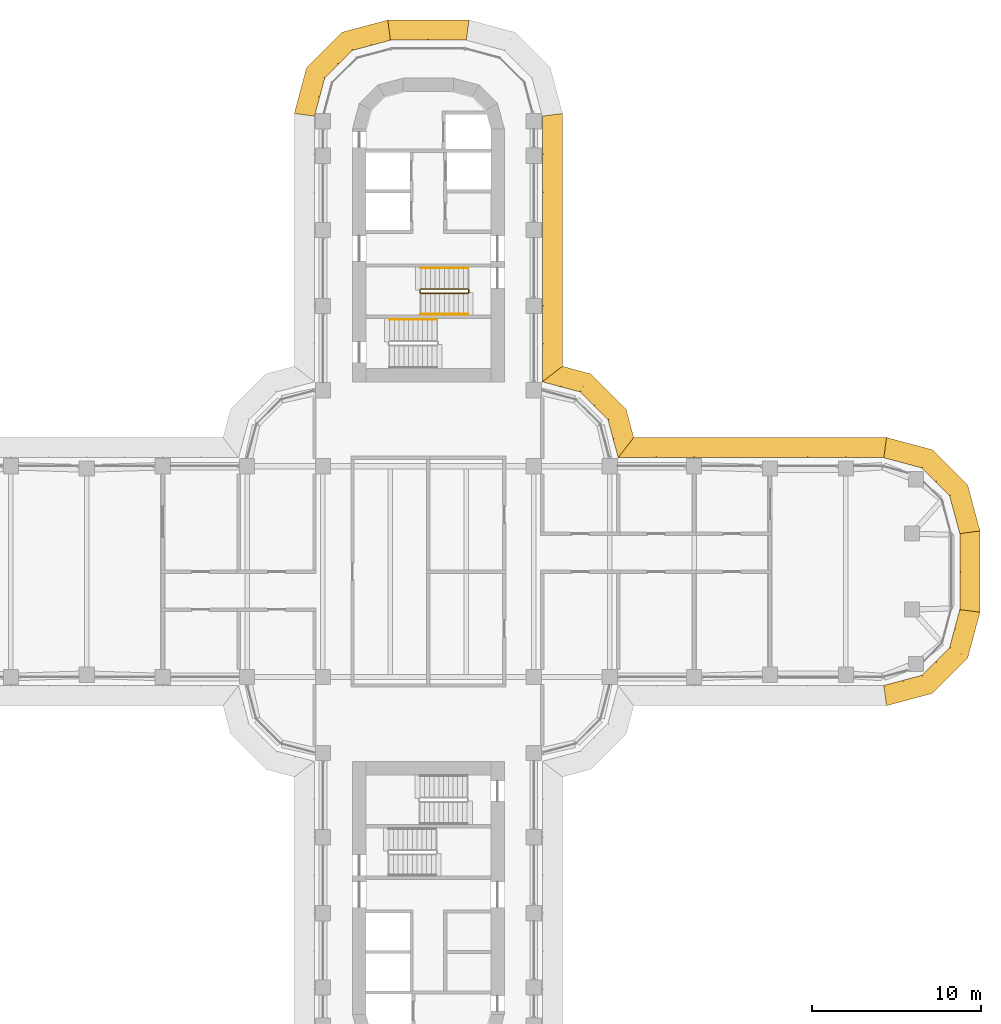
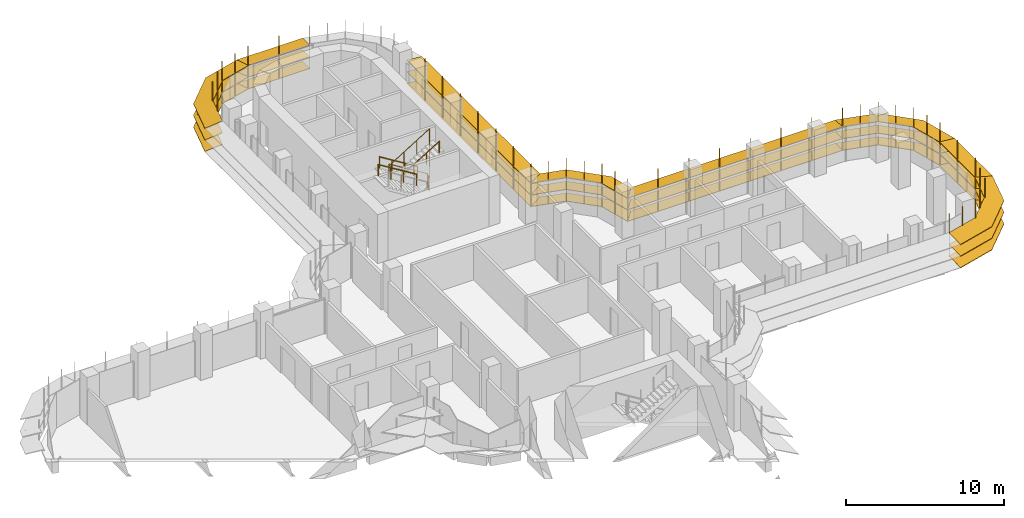
# One storey, part 21 of 22: 8 shading devices, 4 railings.
"""IFC4 building model written with IfcOpenShell, lengths in metres."""

from ifc_helpers import new_model, si_unit, direction, frame, origin, origin_2d, place, context, subcontext, project, spatial, polyline, circle, outline, extrude, faceted_brep, source, transform, mapped, material, type_object, element, save


model = new_model("IFC4")

# Units and contexts
model_context = context("Model", 3, precision=1e-05, world=origin(), true_north=direction((0.0, 1.0)))
body_context = subcontext(model_context, "Body", "Model", "MODEL_VIEW")
ifc_project = project(units=[si_unit("LENGTHUNIT", "METRE"), si_unit("AREAUNIT", "SQUARE_METRE"), si_unit("VOLUMEUNIT", "CUBIC_METRE"), si_unit("PLANEANGLEUNIT", "RADIAN"), si_unit("MASSUNIT", "GRAM", prefix="KILO")], contexts=[model_context])

# Site, building, storey
site_placement = place(None, origin())
site = spatial("IfcSite", under=ifc_project, at=site_placement, CompositionType="ELEMENT")
building_placement = place(site_placement, origin())
building = spatial("IfcBuilding", under=site, at=building_placement, Name="Zarbagh Exchange Tower", CompositionType="ELEMENT")
storey_placement = place(building_placement, frame((0.0, 0.0, 132.199951171875)))
storey = spatial("IfcBuildingStorey", under=building, at=storey_placement, Name="L31", CompositionType="ELEMENT", Elevation=132.199951171875)

# Railings
ifc_material_1 = material(Name="Stainless steel", Category="steel")
railing_type_1 = type_object("IfcRailingType", Name="Stair guard 1100 mm", PredefinedType="GUARDRAIL", material=ifc_material_1)
railing_1_placement = place(storey_placement, frame((-0.449951171875, 16.5, 2.07275390625)))
element("IfcRailing", 1, at=railing_1_placement, inside=storey, type_object=railing_type_1, Name="ST1 stair guard 1", PredefinedType="GUARDRAIL", context=body_context, shape_type="SweptSolid", body=[
    extrude(circle(Radius=0.02392578125, at=origin_2d()), frame((0.0, 0.0, 1.076171875), z_axis=(0.851089632645, 0.0, 0.525020415988), x_axis=(0.0, 1.0, 0.0)), (0.0, 0.0, 1.0), 3.2900390625),
    extrude(circle(Radius=0.02392578125, at=origin_2d()), frame((2.800048828125, 0.0, 2.80322265625), z_axis=(0.013104066473, 0.013168302093, -0.99982742474), x_axis=(-0.708833529934, 0.705375805398, 0.0)), (0.0, 0.0, 1.0), 3.80078125),
    extrude(circle(Radius=0.02392578125, at=origin_2d()), frame((2.849853515625, 0.050048828125, -0.99658203125), z_axis=(0.0, 1.0, 0.0), x_axis=(-1.0, 0.0, 0.0)), (0.0, 0.0, 1.0), 0.14990234375),
    extrude(circle(Radius=0.02392578125, at=origin_2d()), frame((2.849853515625, 0.199951171875, -0.99658203125), z_axis=(-0.266739603011, 0.268047150085, 0.925743328097), x_axis=(-0.708833529934, -0.705375805398, 0.0)), (0.0, 0.0, 1.0), 0.186767578125),
    extrude(circle(Radius=0.02392578125, at=origin_2d()), frame((2.800048828125, 0.25, -0.82373046875), z_axis=(-0.851089632645, 0.0, 0.525020415988), x_axis=(0.0, -1.0, 0.0)), (0.0, 0.0, 1.0), 3.2900390625),
    extrude(circle(Radius=0.02392578125, at=origin_2d()), frame((0.0, 0.25, 0.9033203125), z_axis=(-0.707106781187, -0.707106781187, 0.0), x_axis=(0.707106781187, -0.707106781187, 0.0)), (0.0, 0.0, 1.0), 0.07080078125),
    extrude(circle(Radius=0.02392578125, at=origin_2d()), frame((-0.050048828125, 0.199951171875, 0.9033203125), z_axis=(0.0, -1.0, 0.0), x_axis=(1.0, 0.0, 0.0)), (0.0, 0.0, 1.0), 0.14990234375),
    extrude(circle(Radius=0.02099609375, at=origin_2d()), origin(), (0.0, 0.0, 1.0), 1.052001953125),
    extrude(circle(Radius=0.02099609375, at=origin_2d()), frame((0.933349609375, 0.0, 0.57568359375)), (0.0, 0.0, 1.0), 1.052001953125),
    extrude(circle(Radius=0.02099609375, at=origin_2d()), frame((1.86669921875, 0.0, 1.151611328125)), (0.0, 0.0, 1.0), 1.052001953125),
    extrude(circle(Radius=0.02099609375, at=origin_2d()), frame((2.800048828125, 0.0, 1.727294921875)), (0.0, 0.0, 1.0), 1.052001953125),
    extrude(circle(Radius=0.02099609375, at=origin_2d()), frame((2.8125, 0.012451171875, 0.77734375)), (0.0, 0.0, 1.0), 1.052001953125),
    extrude(circle(Radius=0.02099609375, at=origin_2d()), frame((2.824951171875, 0.02490234375, -0.1728515625)), (0.0, 0.0, 1.0), 1.052001953125),
    extrude(circle(Radius=0.02099609375, at=origin_2d()), frame((2.83740234375, 0.03759765625, -1.122802734375)), (0.0, 0.0, 1.0), 1.052001953125),
    extrude(circle(Radius=0.02099609375, at=origin_2d()), frame((2.849853515625, 0.050048828125, -2.07275390625)), (0.0, 0.0, 1.0), 1.052001953125),
    extrude(circle(Radius=0.02099609375, at=origin_2d()), frame((2.849853515625, 0.199951171875, -2.07275390625)), (0.0, 0.0, 1.0), 1.052001953125),
    extrude(circle(Radius=0.02099609375, at=origin_2d()), frame((2.800048828125, 0.25, -1.89990234375)), (0.0, 0.0, 1.0), 1.052001953125),
    extrude(circle(Radius=0.02099609375, at=origin_2d()), frame((1.86669921875, 0.25, -1.32421875)), (0.0, 0.0, 1.0), 1.052001953125),
    extrude(circle(Radius=0.02099609375, at=origin_2d()), frame((0.933349609375, 0.25, -0.748291015625)), (0.0, 0.0, 1.0), 1.052001953125),
    extrude(circle(Radius=0.02099609375, at=origin_2d()), frame((0.0, 0.25, -0.172607421875)), (0.0, 0.0, 1.0), 1.052001953125),
    extrude(circle(Radius=0.02099609375, at=origin_2d()), frame((-0.050048828125, 0.199951171875, -0.172607421875)), (0.0, 0.0, 1.0), 1.052001953125),
    extrude(circle(Radius=0.02099609375, at=origin_2d()), frame((-0.050048828125, 0.050048828125, -0.172607421875)), (0.0, 0.0, 1.0), 1.052001953125),
])
railing_type_2 = type_object("IfcRailingType", Name="Stair handrail 900 mm", PredefinedType="HANDRAIL", material=ifc_material_1)
railing_2_placement = place(storey_placement, frame((2.35009765625, 18.0, 0.1728515625)))
element("IfcRailing", 2, at=railing_2_placement, inside=storey, type_object=railing_type_2, Name="ST1 stair handrail 1", PredefinedType="HANDRAIL", context=body_context, shape_type="SweptSolid", body=[
    extrude(circle(Radius=0.02392578125, at=origin_2d()), frame((0.0, 0.0, 0.8759765625), z_axis=(-0.851089632645, 0.0, 0.525020415988), x_axis=(0.0, -1.0, 0.0)), (0.0, 0.0, 1.0), 3.2900390625),
    extrude(circle(Radius=0.02099609375, at=origin_2d()), origin(), (0.0, 0.0, 1.0), 0.851806640625),
    extrude(circle(Radius=0.02099609375, at=origin_2d()), frame((-0.933349609375, 0.0, 0.57568359375)), (0.0, 0.0, 1.0), 0.851806640625),
    extrude(circle(Radius=0.02099609375, at=origin_2d()), frame((-1.86669921875, 0.0, 1.151611328125)), (0.0, 0.0, 1.0), 0.851806640625),
    extrude(circle(Radius=0.02099609375, at=origin_2d()), frame((-2.800048828125, 0.0, 1.727294921875)), (0.0, 0.0, 1.0), 0.851806640625),
])
railing_3_placement = place(storey_placement, frame((-0.449951171875, 15.25, 2.07275390625)))
element("IfcRailing", 3, at=railing_3_placement, inside=storey, type_object=railing_type_2, Name="ST1 stair handrail 2", PredefinedType="HANDRAIL", context=body_context, shape_type="SweptSolid", body=[
    extrude(circle(Radius=0.02392578125, at=origin_2d()), frame((0.0, 0.0, 0.8759765625), z_axis=(0.851089632645, 0.0, 0.525020415988), x_axis=(0.0, 1.0, 0.0)), (0.0, 0.0, 1.0), 3.2900390625),
    extrude(circle(Radius=0.02099609375, at=origin_2d()), origin(), (0.0, 0.0, 1.0), 0.851806640625),
    extrude(circle(Radius=0.02099609375, at=origin_2d()), frame((0.933349609375, 0.0, 0.57568359375)), (0.0, 0.0, 1.0), 0.851806640625),
    extrude(circle(Radius=0.02099609375, at=origin_2d()), frame((1.86669921875, 0.0, 1.151611328125)), (0.0, 0.0, 1.0), 0.851806640625),
    extrude(circle(Radius=0.02099609375, at=origin_2d()), frame((2.800048828125, 0.0, 1.727294921875)), (0.0, 0.0, 1.0), 0.851806640625),
])
railing_4_placement = place(storey_placement, frame((0.5, 14.949951171875, 2.07275390625)))
element("IfcRailing", 4, at=railing_4_placement, inside=storey, type_object=railing_type_2, Name="ST2 stair handrail 2", PredefinedType="HANDRAIL", context=body_context, shape_type="SweptSolid", body=[
    extrude(circle(Radius=0.02392578125, at=origin_2d()), frame((0.0, 0.0, 0.8759765625), z_axis=(-0.851089632645, 0.0, 0.525020415988), x_axis=(0.0, -1.0, 0.0)), (0.0, 0.0, 1.0), 3.2900390625),
    extrude(circle(Radius=0.02099609375, at=origin_2d()), origin(), (0.0, 0.0, 1.0), 0.851806640625),
    extrude(circle(Radius=0.02099609375, at=origin_2d()), frame((-0.933349609375, 0.0, 0.57568359375)), (0.0, 0.0, 1.0), 0.851806640625),
    extrude(circle(Radius=0.02099609375, at=origin_2d()), frame((-1.86669921875, 0.0, 1.151611328125)), (0.0, 0.0, 1.0), 0.851806640625),
    extrude(circle(Radius=0.02099609375, at=origin_2d()), frame((-2.800048828125, 0.0, 1.727294921875)), (0.0, 0.0, 1.0), 0.851806640625),
])

# Shading devices
ifc_material_2 = material(Name="Anodised aluminium blades and brackets", Category="aluminium")
shading_device_type = type_object("IfcShadingDeviceType", Name="SUNSHADE louvre band, 11.25 degree blades", PredefinedType="JALOUSIE", material=ifc_material_2)
shared_shape_1 = source(origin(), body_context, "Body", "Brep", [
    faceted_brep([(0.0, 0.0, 0.0), (0.0, 0.0, -0.040771484375), (-0.157958984375, -1.199951171875, -0.279541015625), (-0.157958984375, -1.199951171875, -0.23876953125), (2.65087890625, -1.199951171875, -0.23876953125), (2.65087890625, -1.199951171875, -0.279541015625), (2.329345703125, 0.0, -0.040771484375), (2.329345703125, 0.0, 0.0)], [[[0, 1, 2, 3]], [[4, 5, 6, 7]], [[0, 7, 6, 1]], [[1, 6, 5, 2]], [[2, 5, 4, 3]], [[3, 4, 7, 0]]]),
])
shared_shape_2 = source(origin(), body_context, "Body", "Brep", [
    faceted_brep([(0.0, 0.0, 0.0), (0.0, 0.0, -0.040771484375), (-0.321533203125, -1.199951171875, -0.279541015625), (-0.321533203125, -1.199951171875, -0.23876953125), (2.65087890625, -1.199951171875, -0.23876953125), (2.65087890625, -1.199951171875, -0.279541015625), (2.329345703125, 0.0, -0.040771484375), (2.329345703125, 0.0, 0.0)], [[[0, 1, 2, 3]], [[4, 5, 6, 7]], [[0, 7, 6, 1]], [[1, 6, 5, 2]], [[2, 5, 4, 3]], [[3, 4, 7, 0]]]),
])
shared_shape_3 = source(origin(), body_context, "Body", "Brep", [
    faceted_brep([(0.0, 0.0, 0.0), (0.0, 0.0, -0.040771484375), (-0.321533203125, -1.199951171875, -0.279541015625), (-0.321533203125, -1.199951171875, -0.23876953125), (2.4873046875, -1.199951171875, -0.23876953125), (2.4873046875, -1.199951171875, -0.279541015625), (2.329345703125, 0.0, -0.040771484375), (2.329345703125, 0.0, 0.0)], [[[0, 1, 2, 3]], [[4, 5, 6, 7]], [[0, 7, 6, 1]], [[1, 6, 5, 2]], [[2, 5, 4, 3]], [[3, 4, 7, 0]]]),
])
shared_shape_4 = source(origin(), body_context, "Body", "SweptSolid", [
    extrude(outline(polyline([(0.0, -0.012451171875), (0.06005859375, -0.012451171875), (0.06005859375, 0.012451171875), (0.0, 0.012451171875), (0.0, -0.012451171875)])), origin(), (0.0, 0.0, 1.0), 3.350830078125),
])
placement = place(storey_placement, origin())
element("IfcShadingDevice", 5, at=placement, inside=storey, type_object=shading_device_type, Name="SS31 sunshade band", PredefinedType="JALOUSIE", context=body_context, shape_type="MappedRepresentation", body=[
    mapped(shared_shape_1, transform((27.0, -6.75, 2.300048828125), x_axis=(0.965924289636, 0.258824779902, 0.0), y_axis=(-0.258824779902, 0.965924289636, 0.0), z_axis=(0.0, 0.0, 1.0))),
    mapped(shared_shape_1, transform((27.0, -6.75, 1.400146484375), x_axis=(0.965924289636, 0.258824779902, 0.0), y_axis=(-0.258824779902, 0.965924289636, 0.0), z_axis=(0.0, 0.0, 1.0))),
    mapped(shared_shape_1, transform((27.0, -6.75, 0.5), x_axis=(0.965924289636, 0.258824779902, 0.0), y_axis=(-0.258824779902, 0.965924289636, 0.0), z_axis=(0.0, 0.0, 1.0))),
    mapped(shared_shape_2, transform((29.25, -6.147216796875, 2.300048828125), x_axis=(0.707106781187, 0.707106781187, 0.0), y_axis=(-0.707106781187, 0.707106781187, 0.0), z_axis=(0.0, 0.0, 1.0))),
    mapped(shared_shape_2, transform((29.25, -6.147216796875, 1.400146484375), x_axis=(0.707106781187, 0.707106781187, 0.0), y_axis=(-0.707106781187, 0.707106781187, 0.0), z_axis=(0.0, 0.0, 1.0))),
    mapped(shared_shape_2, transform((29.25, -6.147216796875, 0.5), x_axis=(0.707106781187, 0.707106781187, 0.0), y_axis=(-0.707106781187, 0.707106781187, 0.0), z_axis=(0.0, 0.0, 1.0))),
    mapped(shared_shape_3, transform((30.897216796875, -4.5, 2.300048828125), x_axis=(0.258824779902, 0.965924289636, 0.0), y_axis=(-0.965924289636, 0.258824779902, 0.0), z_axis=(0.0, 0.0, 1.0))),
    mapped(shared_shape_3, transform((30.897216796875, -4.5, 1.400146484375), x_axis=(0.258824779902, 0.965924289636, 0.0), y_axis=(-0.965924289636, 0.258824779902, 0.0), z_axis=(0.0, 0.0, 1.0))),
    mapped(shared_shape_3, transform((30.897216796875, -4.5, 0.5), x_axis=(0.258824779902, 0.965924289636, 0.0), y_axis=(-0.965924289636, 0.258824779902, 0.0), z_axis=(0.0, 0.0, 1.0))),
    mapped(shared_shape_4, transform((27.0, -6.75, 0.42919921875), x_axis=(0.130529263012, -0.991444457092, 0.0), y_axis=(0.991444457092, 0.130529263012, 0.0), z_axis=(0.0, 0.0, 1.0))),
    mapped(shared_shape_4, transform((28.125, -6.448486328125, 0.42919921875), x_axis=(0.258825058029, -0.96592421511, 0.0), y_axis=(0.96592421511, 0.258825058029, 0.0), z_axis=(0.0, 0.0, 1.0))),
    mapped(shared_shape_4, transform((29.25, -6.147216796875, 0.42919921875), x_axis=(0.50000275701, -0.866023812018, 0.0), y_axis=(0.866023812018, 0.50000275701, 0.0), z_axis=(0.0, 0.0, 1.0))),
    mapped(shared_shape_4, transform((30.073486328125, -5.323486328125, 0.42919921875), x_axis=(0.707106781187, -0.707106781187, 0.0), y_axis=(0.707106781187, 0.707106781187, 0.0), z_axis=(0.0, 0.0, 1.0))),
    mapped(shared_shape_4, transform((30.897216796875, -4.5, 0.42919921875), x_axis=(0.866023812018, -0.50000275701, 0.0), y_axis=(0.50000275701, 0.866023812018, 0.0), z_axis=(0.0, 0.0, 1.0))),
    mapped(shared_shape_4, transform((31.198486328125, -3.375, 0.42919921875), x_axis=(0.96592421511, -0.258825058029, 0.0), y_axis=(0.258825058029, 0.96592421511, 0.0), z_axis=(0.0, 0.0, 1.0))),
])
element("IfcShadingDevice", 6, at=placement, inside=storey, type_object=shading_device_type, Name="SS33 sunshade band", PredefinedType="JALOUSIE", context=body_context, shape_type="MappedRepresentation", body=[
    mapped(shared_shape_1, transform((31.5, 2.25, 2.300048828125), x_axis=(-0.258824779902, 0.965924289636, 0.0), y_axis=(-0.965924289636, -0.258824779902, 0.0), z_axis=(0.0, 0.0, 1.0))),
    mapped(shared_shape_1, transform((31.5, 2.25, 1.400146484375), x_axis=(-0.258824779902, 0.965924289636, 0.0), y_axis=(-0.965924289636, -0.258824779902, 0.0), z_axis=(0.0, 0.0, 1.0))),
    mapped(shared_shape_1, transform((31.5, 2.25, 0.5), x_axis=(-0.258824779902, 0.965924289636, 0.0), y_axis=(-0.965924289636, -0.258824779902, 0.0), z_axis=(0.0, 0.0, 1.0))),
    mapped(shared_shape_2, transform((30.897216796875, 4.5, 2.300048828125), x_axis=(-0.707106781187, 0.707106781187, 0.0), y_axis=(-0.707106781187, -0.707106781187, 0.0), z_axis=(0.0, 0.0, 1.0))),
    mapped(shared_shape_2, transform((30.897216796875, 4.5, 1.400146484375), x_axis=(-0.707106781187, 0.707106781187, 0.0), y_axis=(-0.707106781187, -0.707106781187, 0.0), z_axis=(0.0, 0.0, 1.0))),
    mapped(shared_shape_2, transform((30.897216796875, 4.5, 0.5), x_axis=(-0.707106781187, 0.707106781187, 0.0), y_axis=(-0.707106781187, -0.707106781187, 0.0), z_axis=(0.0, 0.0, 1.0))),
    mapped(shared_shape_3, transform((29.25, 6.147216796875, 2.300048828125), x_axis=(-0.965924289636, 0.258824779902, 0.0), y_axis=(-0.258824779902, -0.965924289636, 0.0), z_axis=(0.0, 0.0, 1.0))),
    mapped(shared_shape_3, transform((29.25, 6.147216796875, 1.400146484375), x_axis=(-0.965924289636, 0.258824779902, 0.0), y_axis=(-0.258824779902, -0.965924289636, 0.0), z_axis=(0.0, 0.0, 1.0))),
    mapped(shared_shape_3, transform((29.25, 6.147216796875, 0.5), x_axis=(-0.965924289636, 0.258824779902, 0.0), y_axis=(-0.258824779902, -0.965924289636, 0.0), z_axis=(0.0, 0.0, 1.0))),
    mapped(shared_shape_4, transform((31.5, 2.25, 0.42919921875), x_axis=(0.991444457092, 0.130529263012, 0.0), y_axis=(-0.130529263012, 0.991444457092, 0.0), z_axis=(0.0, 0.0, 1.0))),
    mapped(shared_shape_4, transform((31.198486328125, 3.375, 0.42919921875), x_axis=(0.96592421511, 0.258825058029, 0.0), y_axis=(-0.258825058029, 0.96592421511, 0.0), z_axis=(0.0, 0.0, 1.0))),
    mapped(shared_shape_4, transform((30.897216796875, 4.5, 0.42919921875), x_axis=(0.866023812018, 0.50000275701, 0.0), y_axis=(-0.50000275701, 0.866023812018, 0.0), z_axis=(0.0, 0.0, 1.0))),
    mapped(shared_shape_4, transform((30.073486328125, 5.323486328125, 0.42919921875), x_axis=(0.707106781187, 0.707106781187, 0.0), y_axis=(-0.707106781187, 0.707106781187, 0.0), z_axis=(0.0, 0.0, 1.0))),
    mapped(shared_shape_4, transform((29.25, 6.147216796875, 0.42919921875), x_axis=(0.50000275701, 0.866023812018, 0.0), y_axis=(-0.866023812018, 0.50000275701, 0.0), z_axis=(0.0, 0.0, 1.0))),
    mapped(shared_shape_4, transform((28.125, 6.448486328125, 0.42919921875), x_axis=(0.258825058029, 0.96592421511, 0.0), y_axis=(-0.96592421511, 0.258825058029, 0.0), z_axis=(0.0, 0.0, 1.0))),
])
element("IfcShadingDevice", 7, at=placement, inside=storey, type_object=shading_device_type, Name="SS28 sunshade band", PredefinedType="JALOUSIE", context=body_context, shape_type="MappedRepresentation", body=[
    mapped(shared_shape_1, transform((-2.25, 31.5, 2.300048828125), x_axis=(-0.965924289636, -0.258824779902, 0.0), y_axis=(0.258824779902, -0.965924289636, 0.0), z_axis=(0.0, 0.0, 1.0))),
    mapped(shared_shape_1, transform((-2.25, 31.5, 1.400146484375), x_axis=(-0.965924289636, -0.258824779902, 0.0), y_axis=(0.258824779902, -0.965924289636, 0.0), z_axis=(0.0, 0.0, 1.0))),
    mapped(shared_shape_1, transform((-2.25, 31.5, 0.5), x_axis=(-0.965924289636, -0.258824779902, 0.0), y_axis=(0.258824779902, -0.965924289636, 0.0), z_axis=(0.0, 0.0, 1.0))),
    mapped(shared_shape_2, transform((-4.5, 30.897216796875, 2.300048828125), x_axis=(-0.707106781187, -0.707106781187, 0.0), y_axis=(0.707106781187, -0.707106781187, 0.0), z_axis=(0.0, 0.0, 1.0))),
    mapped(shared_shape_2, transform((-4.5, 30.897216796875, 1.400146484375), x_axis=(-0.707106781187, -0.707106781187, 0.0), y_axis=(0.707106781187, -0.707106781187, 0.0), z_axis=(0.0, 0.0, 1.0))),
    mapped(shared_shape_2, transform((-4.5, 30.897216796875, 0.5), x_axis=(-0.707106781187, -0.707106781187, 0.0), y_axis=(0.707106781187, -0.707106781187, 0.0), z_axis=(0.0, 0.0, 1.0))),
    mapped(shared_shape_3, transform((-6.147216796875, 29.25, 2.300048828125), x_axis=(-0.258824779902, -0.965924289636, 0.0), y_axis=(0.965924289636, -0.258824779902, 0.0), z_axis=(0.0, 0.0, 1.0))),
    mapped(shared_shape_3, transform((-6.147216796875, 29.25, 1.400146484375), x_axis=(-0.258824779902, -0.965924289636, 0.0), y_axis=(0.965924289636, -0.258824779902, 0.0), z_axis=(0.0, 0.0, 1.0))),
    mapped(shared_shape_3, transform((-6.147216796875, 29.25, 0.5), x_axis=(-0.258824779902, -0.965924289636, 0.0), y_axis=(0.965924289636, -0.258824779902, 0.0), z_axis=(0.0, 0.0, 1.0))),
    mapped(shared_shape_4, transform((-2.25, 31.5, 0.42919921875), x_axis=(-0.130529263012, 0.991444457092, 0.0), y_axis=(-0.991444457092, -0.130529263012, 0.0), z_axis=(0.0, 0.0, 1.0))),
    mapped(shared_shape_4, transform((-3.375, 31.198486328125, 0.42919921875), x_axis=(-0.258825058029, 0.96592421511, 0.0), y_axis=(-0.96592421511, -0.258825058029, 0.0), z_axis=(0.0, 0.0, 1.0))),
    mapped(shared_shape_4, transform((-4.5, 30.897216796875, 0.42919921875), x_axis=(-0.50000275701, 0.866023812018, 0.0), y_axis=(-0.866023812018, -0.50000275701, 0.0), z_axis=(0.0, 0.0, 1.0))),
    mapped(shared_shape_4, transform((-5.323486328125, 30.073486328125, 0.42919921875), x_axis=(-0.707106781187, 0.707106781187, 0.0), y_axis=(-0.707106781187, -0.707106781187, 0.0), z_axis=(0.0, 0.0, 1.0))),
    mapped(shared_shape_4, transform((-6.147216796875, 29.25, 0.42919921875), x_axis=(-0.866023812018, 0.50000275701, 0.0), y_axis=(-0.50000275701, -0.866023812018, 0.0), z_axis=(0.0, 0.0, 1.0))),
    mapped(shared_shape_4, transform((-6.448486328125, 28.125, 0.42919921875), x_axis=(-0.96592421511, 0.258825058029, 0.0), y_axis=(-0.258825058029, -0.96592421511, 0.0), z_axis=(0.0, 0.0, 1.0))),
])
shared_shape_5 = source(origin(), body_context, "Body", "Brep", [
    faceted_brep([(0.0, 0.0, 0.0), (0.0, 0.0, -0.040771484375), (0.9208984375, -1.199951171875, -0.279541015625), (0.9208984375, -1.199951171875, -0.23876953125), (2.65087890625, -1.199951171875, -0.23876953125), (2.65087890625, -1.199951171875, -0.279541015625), (2.329345703125, 0.0, -0.040771484375), (2.329345703125, 0.0, 0.0)], [[[0, 1, 2, 3]], [[4, 5, 6, 7]], [[0, 7, 6, 1]], [[1, 6, 5, 2]], [[2, 5, 4, 3]], [[3, 4, 7, 0]]]),
])
shared_shape_6 = source(origin(), body_context, "Body", "Brep", [
    faceted_brep([(0.0, 0.0, 0.0), (0.0, 0.0, -0.040771484375), (-0.321533203125, -1.199951171875, -0.279541015625), (-0.321533203125, -1.199951171875, -0.23876953125), (1.40869140625, -1.199951171875, -0.23876953125), (1.40869140625, -1.199951171875, -0.279541015625), (2.329345703125, 0.0, -0.040771484375), (2.329345703125, 0.0, 0.0)], [[[0, 1, 2, 3]], [[4, 5, 6, 7]], [[0, 7, 6, 1]], [[1, 6, 5, 2]], [[2, 5, 4, 3]], [[3, 4, 7, 0]]]),
])
element("IfcShadingDevice", 8, at=placement, inside=storey, type_object=shading_device_type, Name="SS09 sunshade band", PredefinedType="JALOUSIE", context=body_context, shape_type="MappedRepresentation", body=[
    mapped(shared_shape_5, transform((11.25, 6.75, 2.300048828125), x_axis=(-0.258824779902, 0.965924289636, 0.0), y_axis=(-0.965924289636, -0.258824779902, 0.0), z_axis=(0.0, 0.0, 1.0))),
    mapped(shared_shape_5, transform((11.25, 6.75, 1.400146484375), x_axis=(-0.258824779902, 0.965924289636, 0.0), y_axis=(-0.965924289636, -0.258824779902, 0.0), z_axis=(0.0, 0.0, 1.0))),
    mapped(shared_shape_5, transform((11.25, 6.75, 0.5), x_axis=(-0.258824779902, 0.965924289636, 0.0), y_axis=(-0.965924289636, -0.258824779902, 0.0), z_axis=(0.0, 0.0, 1.0))),
    mapped(shared_shape_2, transform((10.647216796875, 9.0, 2.300048828125), x_axis=(-0.707106781187, 0.707106781187, 0.0), y_axis=(-0.707106781187, -0.707106781187, 0.0), z_axis=(0.0, 0.0, 1.0))),
    mapped(shared_shape_2, transform((10.647216796875, 9.0, 1.400146484375), x_axis=(-0.707106781187, 0.707106781187, 0.0), y_axis=(-0.707106781187, -0.707106781187, 0.0), z_axis=(0.0, 0.0, 1.0))),
    mapped(shared_shape_2, transform((10.647216796875, 9.0, 0.5), x_axis=(-0.707106781187, 0.707106781187, 0.0), y_axis=(-0.707106781187, -0.707106781187, 0.0), z_axis=(0.0, 0.0, 1.0))),
    mapped(shared_shape_6, transform((9.0, 10.647216796875, 2.300048828125), x_axis=(-0.965924289636, 0.258824779902, 0.0), y_axis=(-0.258824779902, -0.965924289636, 0.0), z_axis=(0.0, 0.0, 1.0))),
    mapped(shared_shape_6, transform((9.0, 10.647216796875, 1.400146484375), x_axis=(-0.965924289636, 0.258824779902, 0.0), y_axis=(-0.258824779902, -0.965924289636, 0.0), z_axis=(0.0, 0.0, 1.0))),
    mapped(shared_shape_6, transform((9.0, 10.647216796875, 0.5), x_axis=(-0.965924289636, 0.258824779902, 0.0), y_axis=(-0.258824779902, -0.965924289636, 0.0), z_axis=(0.0, 0.0, 1.0))),
    mapped(shared_shape_4, transform((11.25, 6.75, 0.42919921875), x_axis=(0.608758892, 0.793355287, 0.0), y_axis=(-0.793355287, 0.608758892, 0.0), z_axis=(0.0, 0.0, 1.0))),
    mapped(shared_shape_4, transform((10.948486328125, 7.875, 0.42919921875), x_axis=(0.96592421511, 0.258825058029, 0.0), y_axis=(-0.258825058029, 0.96592421511, 0.0), z_axis=(0.0, 0.0, 1.0))),
    mapped(shared_shape_4, transform((10.647216796875, 9.0, 0.42919921875), x_axis=(0.866023812018, 0.50000275701, 0.0), y_axis=(-0.50000275701, 0.866023812018, 0.0), z_axis=(0.0, 0.0, 1.0))),
    mapped(shared_shape_4, transform((9.823486328125, 9.823486328125, 0.42919921875), x_axis=(0.707106781187, 0.707106781187, 0.0), y_axis=(-0.707106781187, 0.707106781187, 0.0), z_axis=(0.0, 0.0, 1.0))),
    mapped(shared_shape_4, transform((9.0, 10.647216796875, 0.42919921875), x_axis=(0.50000275701, 0.866023812018, 0.0), y_axis=(-0.866023812018, 0.50000275701, 0.0), z_axis=(0.0, 0.0, 1.0))),
    mapped(shared_shape_4, transform((7.875, 10.948486328125, 0.42919921875), x_axis=(0.258825058029, 0.96592421511, 0.0), y_axis=(-0.96592421511, 0.258825058029, 0.0), z_axis=(0.0, 0.0, 1.0))),
])
shared_shape_7 = source(origin(), body_context, "Body", "Brep", [
    faceted_brep([(0.0, 0.0, 0.0), (0.0, 0.0, -0.040771484375), (-0.157958984375, -1.199951171875, -0.279541015625), (-0.157958984375, -1.199951171875, -0.23876953125), (4.657958984375, -1.199951171875, -0.23876953125), (4.657958984375, -1.199951171875, -0.279541015625), (4.5, 0.0, -0.040771484375), (4.5, 0.0, 0.0)], [[[0, 1, 2, 3]], [[4, 5, 6, 7]], [[0, 7, 6, 1]], [[1, 6, 5, 2]], [[2, 5, 4, 3]], [[3, 4, 7, 0]]]),
])
element("IfcShadingDevice", 9, at=placement, inside=storey, type_object=shading_device_type, Name="SS32 sunshade band", PredefinedType="JALOUSIE", context=body_context, shape_type="MappedRepresentation", body=[
    mapped(shared_shape_7, transform((31.5, -2.25, 2.300048828125), x_axis=(0.0, 1.0, 0.0), y_axis=(-1.0, 0.0, 0.0), z_axis=(0.0, 0.0, 1.0))),
    mapped(shared_shape_7, transform((31.5, -2.25, 1.400146484375), x_axis=(0.0, 1.0, 0.0), y_axis=(-1.0, 0.0, 0.0), z_axis=(0.0, 0.0, 1.0))),
    mapped(shared_shape_7, transform((31.5, -2.25, 0.5), x_axis=(0.0, 1.0, 0.0), y_axis=(-1.0, 0.0, 0.0), z_axis=(0.0, 0.0, 1.0))),
    mapped(shared_shape_4, transform((31.5, -2.25, 0.42919921875), x_axis=(0.991444457092, -0.130529263012, 0.0), y_axis=(0.130529263012, 0.991444457092, 0.0), z_axis=(0.0, 0.0, 1.0))),
    mapped(shared_shape_4, transform((31.5, 0.0, 0.42919921875), x_axis=(1.0, 0.0, 0.0), y_axis=(0.0, 1.0, 0.0), z_axis=(0.0, 0.0, 1.0))),
])
shared_shape_8 = source(origin(), body_context, "Body", "Brep", [
    faceted_brep([(0.0, 0.0, 0.0), (0.0, 0.0, -0.040771484375), (-0.157958984375, -1.199951171875, -0.279541015625), (-0.157958984375, -1.199951171875, -0.23876953125), (14.8291015625, -1.199951171875, -0.23876953125), (14.8291015625, -1.199951171875, -0.279541015625), (15.75, 0.0, -0.040771484375), (15.75, 0.0, 0.0)], [[[0, 1, 2, 3]], [[4, 5, 6, 7]], [[0, 7, 6, 1]], [[1, 6, 5, 2]], [[2, 5, 4, 3]], [[3, 4, 7, 0]]]),
])
element("IfcShadingDevice", 10, at=placement, inside=storey, type_object=shading_device_type, Name="SS34 sunshade band", PredefinedType="JALOUSIE", context=body_context, shape_type="MappedRepresentation", body=[
    mapped(shared_shape_8, transform((27.0, 6.75, 2.300048828125), x_axis=(-1.0, 0.0, 0.0), y_axis=(0.0, -1.0, 0.0), z_axis=(0.0, 0.0, 1.0))),
    mapped(shared_shape_8, transform((27.0, 6.75, 1.400146484375), x_axis=(-1.0, 0.0, 0.0), y_axis=(0.0, -1.0, 0.0), z_axis=(0.0, 0.0, 1.0))),
    mapped(shared_shape_8, transform((27.0, 6.75, 0.5), x_axis=(-1.0, 0.0, 0.0), y_axis=(0.0, -1.0, 0.0), z_axis=(0.0, 0.0, 1.0))),
    mapped(shared_shape_4, transform((27.0, 6.75, 0.42919921875), x_axis=(0.130529263012, 0.991444457092, 0.0), y_axis=(-0.991444457092, 0.130529263012, 0.0), z_axis=(0.0, 0.0, 1.0))),
    mapped(shared_shape_4, transform((24.75, 6.75, 0.42919921875), x_axis=(0.0, 1.0, 0.0), y_axis=(-1.0, 0.0, 0.0), z_axis=(0.0, 0.0, 1.0))),
    mapped(shared_shape_4, transform((22.5, 6.75, 0.42919921875), x_axis=(0.0, 1.0, 0.0), y_axis=(-1.0, 0.0, 0.0), z_axis=(0.0, 0.0, 1.0))),
    mapped(shared_shape_4, transform((20.25, 6.75, 0.42919921875), x_axis=(0.0, 1.0, 0.0), y_axis=(-1.0, 0.0, 0.0), z_axis=(0.0, 0.0, 1.0))),
    mapped(shared_shape_4, transform((18.0, 6.75, 0.42919921875), x_axis=(0.0, 1.0, 0.0), y_axis=(-1.0, 0.0, 0.0), z_axis=(0.0, 0.0, 1.0))),
    mapped(shared_shape_4, transform((15.75, 6.75, 0.42919921875), x_axis=(0.0, 1.0, 0.0), y_axis=(-1.0, 0.0, 0.0), z_axis=(0.0, 0.0, 1.0))),
    mapped(shared_shape_4, transform((13.5, 6.75, 0.42919921875), x_axis=(0.0, 1.0, 0.0), y_axis=(-1.0, 0.0, 0.0), z_axis=(0.0, 0.0, 1.0))),
])
shared_shape_9 = source(origin(), body_context, "Body", "Brep", [
    faceted_brep([(0.0, 0.0, 0.0), (0.0, 0.0, -0.040771484375), (0.9208984375, -1.199951171875, -0.279541015625), (0.9208984375, -1.199951171875, -0.23876953125), (15.907958984375, -1.199951171875, -0.23876953125), (15.907958984375, -1.199951171875, -0.279541015625), (15.75, 0.0, -0.040771484375), (15.75, 0.0, 0.0)], [[[0, 1, 2, 3]], [[4, 5, 6, 7]], [[0, 7, 6, 1]], [[1, 6, 5, 2]], [[2, 5, 4, 3]], [[3, 4, 7, 0]]]),
])
element("IfcShadingDevice", 11, at=placement, inside=storey, type_object=shading_device_type, Name="SS25 sunshade band", PredefinedType="JALOUSIE", context=body_context, shape_type="MappedRepresentation", body=[
    mapped(shared_shape_9, transform((6.75, 11.25, 2.300048828125), x_axis=(0.0, 1.0, 0.0), y_axis=(-1.0, 0.0, 0.0), z_axis=(0.0, 0.0, 1.0))),
    mapped(shared_shape_9, transform((6.75, 11.25, 1.400146484375), x_axis=(0.0, 1.0, 0.0), y_axis=(-1.0, 0.0, 0.0), z_axis=(0.0, 0.0, 1.0))),
    mapped(shared_shape_9, transform((6.75, 11.25, 0.5), x_axis=(0.0, 1.0, 0.0), y_axis=(-1.0, 0.0, 0.0), z_axis=(0.0, 0.0, 1.0))),
    mapped(shared_shape_4, transform((6.75, 11.25, 0.42919921875), x_axis=(0.793355287, 0.608758892, 0.0), y_axis=(-0.608758892, 0.793355287, 0.0), z_axis=(0.0, 0.0, 1.0))),
    mapped(shared_shape_4, transform((6.75, 13.5, 0.42919921875), x_axis=(1.0, 0.0, 0.0), y_axis=(0.0, 1.0, 0.0), z_axis=(0.0, 0.0, 1.0))),
    mapped(shared_shape_4, transform((6.75, 15.75, 0.42919921875), x_axis=(1.0, 0.0, 0.0), y_axis=(0.0, 1.0, 0.0), z_axis=(0.0, 0.0, 1.0))),
    mapped(shared_shape_4, transform((6.75, 18.0, 0.42919921875), x_axis=(1.0, 0.0, 0.0), y_axis=(0.0, 1.0, 0.0), z_axis=(0.0, 0.0, 1.0))),
    mapped(shared_shape_4, transform((6.75, 20.25, 0.42919921875), x_axis=(1.0, 0.0, 0.0), y_axis=(0.0, 1.0, 0.0), z_axis=(0.0, 0.0, 1.0))),
    mapped(shared_shape_4, transform((6.75, 22.5, 0.42919921875), x_axis=(1.0, 0.0, 0.0), y_axis=(0.0, 1.0, 0.0), z_axis=(0.0, 0.0, 1.0))),
    mapped(shared_shape_4, transform((6.75, 24.75, 0.42919921875), x_axis=(1.0, 0.0, 0.0), y_axis=(0.0, 1.0, 0.0), z_axis=(0.0, 0.0, 1.0))),
])
element("IfcShadingDevice", 12, at=placement, inside=storey, type_object=shading_device_type, Name="SS27 sunshade band", PredefinedType="JALOUSIE", context=body_context, shape_type="MappedRepresentation", body=[
    mapped(shared_shape_7, transform((2.25, 31.5, 2.300048828125), x_axis=(-1.0, 0.0, 0.0), y_axis=(0.0, -1.0, 0.0), z_axis=(0.0, 0.0, 1.0))),
    mapped(shared_shape_7, transform((2.25, 31.5, 1.400146484375), x_axis=(-1.0, 0.0, 0.0), y_axis=(0.0, -1.0, 0.0), z_axis=(0.0, 0.0, 1.0))),
    mapped(shared_shape_7, transform((2.25, 31.5, 0.5), x_axis=(-1.0, 0.0, 0.0), y_axis=(0.0, -1.0, 0.0), z_axis=(0.0, 0.0, 1.0))),
    mapped(shared_shape_4, transform((2.25, 31.5, 0.42919921875), x_axis=(0.130529263012, 0.991444457092, 0.0), y_axis=(-0.991444457092, 0.130529263012, 0.0), z_axis=(0.0, 0.0, 1.0))),
    mapped(shared_shape_4, transform((0.0, 31.5, 0.42919921875), x_axis=(0.0, 1.0, 0.0), y_axis=(-1.0, 0.0, 0.0), z_axis=(0.0, 0.0, 1.0))),
])

save(model, "model.ifc")
